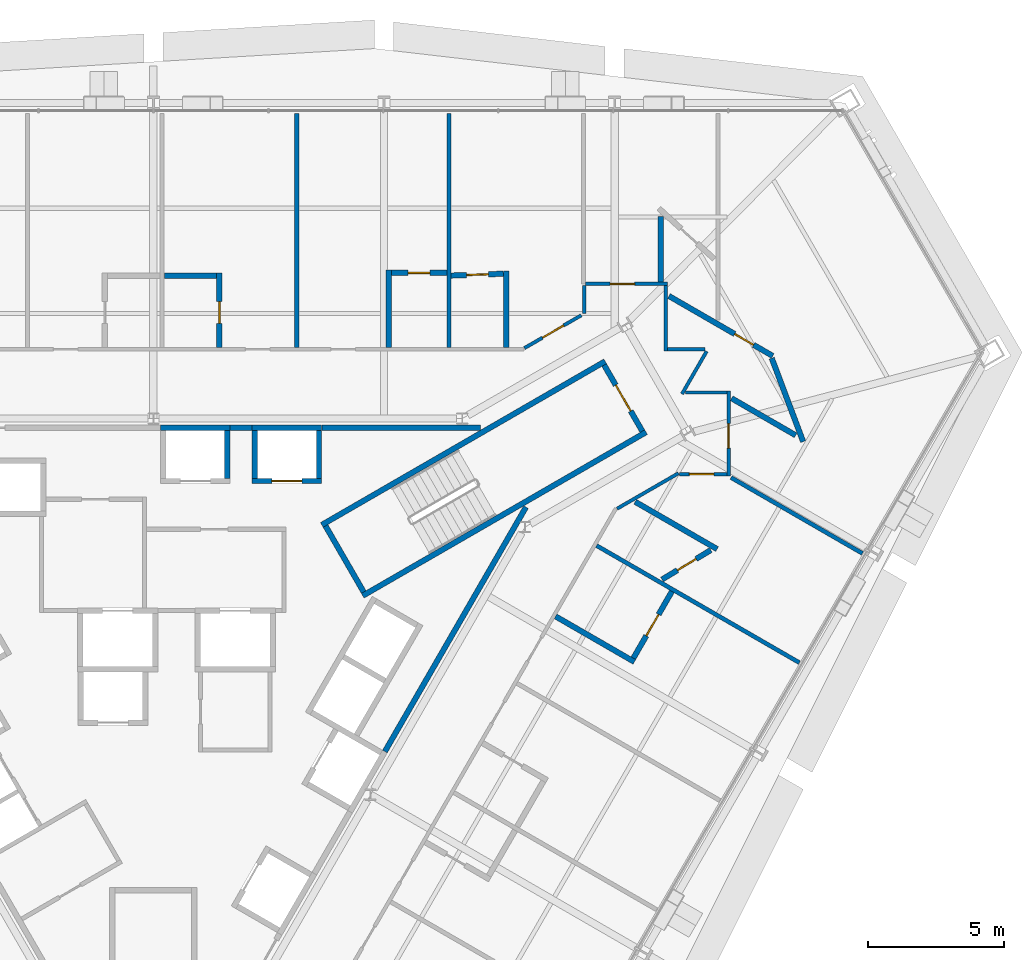
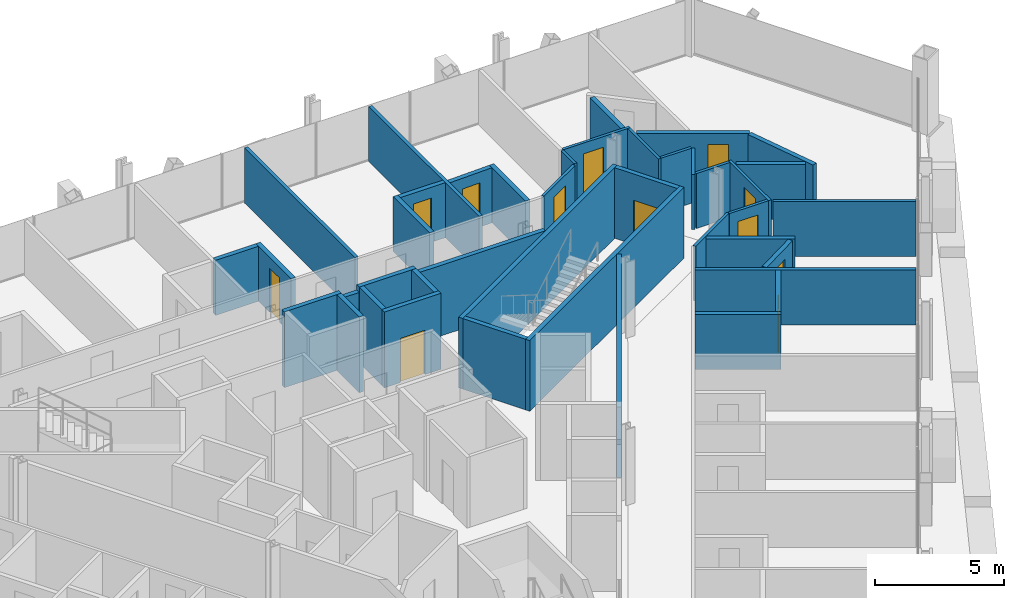
# One storey, part 14 of 17: 41 walls, 12 doors, 12 openings.
"""IFC4 building model written with IfcOpenShell, lengths in metres."""

import ifcopenshell
import ifcopenshell.guid

model = None  # the IFC model being written
_history = None  # IfcOwnerHistory: only IFC2X3 demands one
_inside = {}  # id of a spatial element -> (the spatial element, [elements in it])
_under = {}  # id of a project, library or spatial element -> (it, [spatial elements below it])
_declared = {}  # id of a project -> (the project, [libraries it declares])
_typed = {}  # id of a type object -> (the type object, [elements of that type])
_made_of = {}  # id of a material, layer set ... -> (it, [elements and type objects made of it])


def new_model(schema):
    """Start an empty IFC model of exactly this schema.

    Asked for "IFC4X3", IfcOpenShell would pick the latest addendum, in which some entities
    have other attributes; the version numbers below select the first issue.
    IFC2X3 requires an IfcOwnerHistory on every rooted entity: one is made here for all.
    """
    global model, _history
    if schema == "IFC4X3":
        model = ifcopenshell.file(schema_version=(4, 3, 0, 0))
    else:
        model = ifcopenshell.file(schema=schema)
    _inside.clear()
    _under.clear()
    _declared.clear()
    _typed.clear()
    _made_of.clear()
    _history = None
    if model.schema == "IFC2X3":
        org = make("IfcOrganization", Name="unknown")
        user = make(
            "IfcPersonAndOrganization",
            ThePerson=make("IfcPerson", FamilyName="unknown"),
            TheOrganization=org,
        )
        app = make(
            "IfcApplication",
            ApplicationDeveloper=org,
            Version="unknown",
            ApplicationFullName="unknown",
            ApplicationIdentifier="unknown",
        )
        _history = make(
            "IfcOwnerHistory",
            OwningUser=user,
            OwningApplication=app,
            ChangeAction="ADDED",
            CreationDate=0,
        )
    return model


def make(cls, **values):
    """One entity of the class cls with the attributes given. An attribute that is None is left unset."""
    return model.create_entity(
        cls, **{name: value for name, value in values.items() if value is not None}
    )


def rooted(cls, **values):
    """An entity with a GlobalId (a new one), such as an element, a storey or a relation."""
    return make(cls, GlobalId=ifcopenshell.guid.new(), OwnerHistory=_history, **values)


def si_unit(unit_type, name, prefix=None):
    """IfcSIUnit, for example si_unit("LENGTHUNIT", "METRE", prefix="MILLI")."""
    return make("IfcSIUnit", UnitType=unit_type, Prefix=prefix, Name=name)


def assignment(units):
    """IfcUnitAssignment: the units of a project."""
    return None if units is None else make("IfcUnitAssignment", Units=units)


def point(xyz):
    """IfcCartesianPoint."""
    return None if xyz is None else make("IfcCartesianPoint", Coordinates=xyz)


def direction(xyz):
    """IfcDirection."""
    return None if xyz is None else make("IfcDirection", DirectionRatios=xyz)


def frame(location, z_axis=None, x_axis=None):
    """IfcAxis2Placement3D, a coordinate frame: its origin and axes. An axis left out is left unset."""
    return make(
        "IfcAxis2Placement3D",
        Location=point(location),
        Axis=direction(z_axis),
        RefDirection=direction(x_axis),
    )


def frame_2d(location, x_axis=None):
    """IfcAxis2Placement2D, a coordinate frame in the plane: its origin and x axis."""
    return make(
        "IfcAxis2Placement2D", Location=point(location), RefDirection=direction(x_axis)
    )


def origin():
    """The frame at (0, 0, 0) with its axes left unset."""
    return frame((0.0, 0.0, 0.0))


def place(relative_to, where):
    """IfcLocalPlacement: puts the frame where relative to a parent placement (None: the world)."""
    return make(
        "IfcLocalPlacement", PlacementRelTo=relative_to, RelativePlacement=where
    )


def context(
    kind, dimensions, precision=None, world=None, true_north=None, identifier=None
):
    """IfcGeometricRepresentationContext, for example the 3D "Model" context."""
    return make(
        "IfcGeometricRepresentationContext",
        ContextIdentifier=identifier,
        ContextType=kind,
        CoordinateSpaceDimension=dimensions,
        Precision=precision,
        WorldCoordinateSystem=world,
        TrueNorth=true_north,
    )


def subcontext(parent, identifier, kind, view, scale=None):
    """IfcGeometricRepresentationSubContext, for example "Body" below "Model"."""
    return make(
        "IfcGeometricRepresentationSubContext",
        ContextIdentifier=identifier,
        ContextType=kind,
        ParentContext=parent,
        TargetScale=scale,
        TargetView=view,
    )


def project(units=None, contexts=None):
    """IfcProject with its units and contexts."""
    return rooted(
        "IfcProject",
        Name="project",
        RepresentationContexts=contexts,
        UnitsInContext=assignment(units),
    )


def spatial(cls, under=None, at=None, **own):
    """A site, building, storey or space (cls), placed at a placement, below another one or the project."""
    s = rooted(cls, ObjectPlacement=at, **own)
    if under is not None:
        _under.setdefault(under.id(), (under, []))[1].append(s)
    return s


def profile(cls, at=None, kind="AREA", **sizes):
    """A parametric profile (cls). Its sizes go by their IFC names, for example OverallWidth=200.0."""
    return make(cls, ProfileType=kind, Position=at, **sizes)


def rectangle(**sizes):
    """IfcRectangleProfileDef."""
    return profile("IfcRectangleProfileDef", **sizes)


def extrude(swept, where, along, depth):
    """IfcExtrudedAreaSolid: the profile swept, set in the frame where, extruded along a direction by depth."""
    return make(
        "IfcExtrudedAreaSolid",
        SweptArea=swept,
        Position=where,
        ExtrudedDirection=direction(along),
        Depth=depth,
    )


def shape(context_of_items, identifier, shape_type, items):
    """IfcShapeRepresentation: the items that make up one representation, for example the "Body"."""
    return make(
        "IfcShapeRepresentation",
        ContextOfItems=context_of_items,
        RepresentationIdentifier=identifier,
        RepresentationType=shape_type,
        Items=items,
    )


def material(Name=None, Category=None):
    """IfcMaterial."""
    return make("IfcMaterial", Name=Name, Category=Category)


def layer(
    of_material, thickness, ventilated=None, Name=None, Category=None, Priority=None
):
    """IfcMaterialLayer: one layer of a wall or slab, of a material (None: an air gap)."""
    return make(
        "IfcMaterialLayer",
        Material=of_material,
        LayerThickness=thickness,
        IsVentilated=ventilated,
        Name=Name,
        Category=Category,
        Priority=Priority,
    )


def layer_set(layers, Name=None):
    """IfcMaterialLayerSet."""
    return make("IfcMaterialLayerSet", MaterialLayers=layers, LayerSetName=Name)


def made_of(thing, what):
    """Note that an element or type object is made of a material, layer set ...; save() writes the relation."""
    if what is not None:
        _made_of.setdefault(what.id(), (what, []))[1].append(thing)
    return thing


def type_object(cls, material=None, **own):
    """A type object (cls), such as IfcWallType, which elements share."""
    return made_of(rooted(cls, **own), material)


def element(
    cls,
    number,
    at=None,
    inside=None,
    cuts=None,
    type_object=None,
    material=None,
    context=None,
    identifier="Body",
    shape_type=None,
    held_by="IfcProductDefinitionShape",
    body=None,
    shapes=None,
    **own,
):
    """One element of the class cls, such as IfcWall. Its Tag is "e" and its number.

    at: its placement. inside: the storey or other place that contains it. cuts: it is an
    opening in that element (IfcRelVoidsElement). A single representation is given by context,
    identifier, shape_type and body (its items); several are given by shapes. held_by: the class
    of the entity that holds the representations. save() writes the other relations.
    """
    e = rooted(cls, Tag="e%d" % number, ObjectPlacement=at, **own)
    if body is not None:
        shapes = [shape(context, identifier, shape_type, body)]
    if shapes is not None:
        e.Representation = make(held_by, Representations=shapes)
    if inside is not None:
        _inside.setdefault(inside.id(), (inside, []))[1].append(e)
    if cuts is not None:
        rooted(
            "IfcRelVoidsElement", RelatingBuildingElement=cuts, RelatedOpeningElement=e
        )
    if type_object is not None:
        _typed.setdefault(type_object.id(), (type_object, []))[1].append(e)
    return made_of(e, material)


def fill(opening, filler):
    """IfcRelFillsElement: the door or window that sits in an opening."""
    return rooted(
        "IfcRelFillsElement",
        RelatingOpeningElement=opening,
        RelatedBuildingElement=filler,
    )


def aggregate(whole, parts):
    """IfcRelAggregates: a whole, such as a stair, and the parts it consists of."""
    return rooted("IfcRelAggregates", RelatingObject=whole, RelatedObjects=parts)


def save(model, path):
    """Write the relations noted so far, then the file.

    IfcRelAggregates (storeys below a building ...), IfcRelContainedInSpatialStructure (elements
    in a storey), IfcRelDefinesByType, IfcRelAssociatesMaterial and IfcRelDeclares: one each for
    every whole, place, type object, material and project.
    """
    for whole, parts in _under.values():
        aggregate(whole, parts)
    for where, things in _inside.values():
        rooted(
            "IfcRelContainedInSpatialStructure",
            RelatedElements=things,
            RelatingStructure=where,
        )
    for kind, things in _typed.values():
        rooted("IfcRelDefinesByType", RelatedObjects=things, RelatingType=kind)
    for what, things in _made_of.values():
        rooted("IfcRelAssociatesMaterial", RelatedObjects=things, RelatingMaterial=what)
    for by, libraries in _declared.values():
        rooted("IfcRelDeclares", RelatingContext=by, RelatedDefinitions=libraries)
    model.write(path)


model = new_model("IFC4")

# Units and contexts
model_context = context("Model", 3, precision=1e-05, world=origin(), true_north=direction((0.0, 1.0)))
body_context = subcontext(model_context, "Body", "Model", "MODEL_VIEW")
ifc_project = project(units=[si_unit("LENGTHUNIT", "METRE"), si_unit("AREAUNIT", "SQUARE_METRE"), si_unit("VOLUMEUNIT", "CUBIC_METRE"), si_unit("PLANEANGLEUNIT", "RADIAN"), si_unit("MASSUNIT", "GRAM", prefix="KILO")], contexts=[model_context])

# Site, building, storey
site_placement = place(None, origin())
site = spatial("IfcSite", under=ifc_project, at=site_placement, CompositionType="ELEMENT")
building_placement = place(site_placement, origin())
building = spatial("IfcBuilding", under=site, at=building_placement, Name="Verrane Prism Tower", CompositionType="ELEMENT")
storey_placement = place(building_placement, frame((0.0, 0.0, 40.39990234375)))
storey = spatial("IfcBuildingStorey", under=building, at=storey_placement, Name="L07", CompositionType="ELEMENT", Elevation=40.39990234375)

# Walls
ifc_material_1 = material(Name="Gypsum board partition", Category="other")
ifc_layer_1 = layer(ifc_material_1, 0.199951171875)
ifc_layer_set_1 = layer_set([ifc_layer_1], Name="CW-200 core boundary wall 2 h")
wall_type_1 = type_object("IfcWallType", Name="CW-200 core boundary wall 2 h", PredefinedType="PARTITIONING", material=ifc_layer_set_1)
wall_1_placement = place(storey_placement, frame((2.81689453125, 8.860107421875, 0.0), z_axis=(0.0, 0.0, 1.0), x_axis=(1.0, 0.0, 0.0)))
element("IfcWall", 1, at=wall_1_placement, inside=storey, type_object=wall_type_1, Name="Core boundary wall CW3-011", PredefinedType="PARTITIONING", context=body_context, shape_type="SweptSolid", body=[
    extrude(rectangle(XDim=0.80615234375, YDim=0.199951171875, at=frame_2d((0.403076171875, 0.0))), origin(), (0.0, 0.0, 1.0), 3.35009765625),
])
wall_2_placement = place(storey_placement, frame((6.177001953125, 8.860107421875, 0.0), z_axis=(0.0, 0.0, 1.0), x_axis=(1.0, 0.0, 0.0)))
element("IfcWall", 2, at=wall_2_placement, inside=storey, type_object=wall_type_1, Name="Core boundary wall CW3-013", PredefinedType="PARTITIONING", context=body_context, shape_type="SweptSolid", body=[
    extrude(rectangle(XDim=5.81396484375, YDim=0.199951171875, at=frame_2d((2.906982421875, 0.0))), origin(), (0.0, 0.0, 1.0), 3.35009765625),
])
wall_3_placement = place(storey_placement, frame((8.491943359375, -3.011962890625, 0.0), z_axis=(0.0, 0.0, 1.0), x_axis=(0.499972957231, 0.866041016371, 0.0)))
element("IfcWall", 3, at=wall_3_placement, inside=storey, type_object=wall_type_1, Name="Core boundary wall CW3-014", PredefinedType="PARTITIONING", context=body_context, shape_type="SweptSolid", body=[
    extrude(rectangle(XDim=10.3486328125, YDim=0.199951171875, at=frame_2d((5.17431640625, 0.0))), origin(), (0.0, 0.0, 1.0), 3.35009765625),
])

# Wall, opening, door
ifc_material_2 = material(Name="Concrete C40/50", Category="concrete")
ifc_layer_2 = layer(ifc_material_2, 0.199951171875)
ifc_layer_set_2 = layer_set([ifc_layer_2], Name="CW-200 stair core wall concrete C40/50 3 h")
wall_type_2 = type_object("IfcWallType", Name="CW-200 stair core wall concrete C40/50 3 h", PredefinedType="PARTITIONING", material=ifc_layer_set_2)
wall_4_placement = place(storey_placement, frame((17.933837890625, 8.737548828125, 0.0), z_axis=(0.0, 0.0, 1.0), x_axis=(-0.49998411664, 0.866034573852, 0.0)))
wall_4 = element("IfcWall", 4, at=wall_4_placement, inside=storey, type_object=wall_type_2, Name="Stair 1 enclosure wall", PredefinedType="PARTITIONING", context=body_context, shape_type="SweptSolid", body=[
    extrude(rectangle(XDim=2.7998046875, YDim=0.199951171875, at=frame_2d((1.39990234375, 0.0))), origin(), (0.0, 0.0, 1.0), 3.35009765625),
])
opening_1_placement = place(wall_4_placement, frame((0.849853515625, 0.0, 0.0)))
opening_1 = element("IfcOpeningElement", 5, at=opening_1_placement, cuts=wall_4, Name="Opening D06500", PredefinedType="OPENING", context=body_context, shape_type="SweptSolid", body=[
    extrude(rectangle(XDim=1.10009765625, YDim=2.10009765625, at=frame_2d((0.550048828125, 1.050048828125))), frame((0.0, 0.10986328125, 0.0), z_axis=(0.0, -1.0, 0.0), x_axis=(1.0, 0.0, 0.0)), (0.0, 0.0, 1.0), 0.219970703125),
])
ifc_material_3 = material(Name="Timber veneered door leaf", Category="wood")
door_type_1 = type_object("IfcDoorType", Name="DR-1100x2100 FD90 single leaf stair", OperationType="NOTDEFINED", PredefinedType="DOOR", material=ifc_material_3)
door_1_placement = place(opening_1_placement, origin())
door_1 = element("IfcDoor", 6, at=door_1_placement, inside=storey, type_object=door_type_1, Name="Stair 1 door", OperationType="SINGLE_SWING_LEFT", OverallHeight=2.10009765625, OverallWidth=1.10009765625, PredefinedType="DOOR", context=body_context, shape_type="SweptSolid", body=[
    extrude(rectangle(XDim=1.10009765625, YDim=2.10009765625, at=frame_2d((0.550048828125, 1.050048828125))), frame((0.0, 0.02490234375, 0.0), z_axis=(0.0, -1.0, 0.0), x_axis=(1.0, 0.0, 0.0)), (0.0, 0.0, 1.0), 0.050048828125),
])
fill(opening_1, door_1)

# Walls
for number, where, z_axis, x_axis, name in (
    (7, (6.17822265625, 5.299072265625, 0.0), (0.0, 0.0, 1.0), (0.866026010844, 0.49999894854, 0.0), "Stair 1 enclosure wall"),
    (8, (7.67822265625, 2.700927734375, 0.0), (0.0, 0.0, 1.0), (0.866026010844, 0.49999894854, 0.0), "Stair 1 enclosure wall"),
):
    element("IfcWall", number, at=place(storey_placement, frame(where, z_axis=z_axis, x_axis=x_axis)), inside=storey, type_object=wall_type_2, Name=name, PredefinedType="PARTITIONING", context=body_context, shape_type="SweptSolid", body=[
        extrude(rectangle(XDim=12.0, YDim=0.199951171875, at=frame_2d((6.0, 0.0))), origin(), (0.0, 0.0, 1.0), 3.35009765625),
    ])
wall_5_placement = place(storey_placement, frame((7.71484375, 2.837646484375, 0.0), z_axis=(0.0, 0.0, 1.0), x_axis=(-0.500049511043, 0.865996816683, 0.0)))
element("IfcWall", 9, at=wall_5_placement, inside=storey, type_object=wall_type_2, Name="Stair 1 enclosure wall", PredefinedType="PARTITIONING", context=body_context, shape_type="SweptSolid", body=[
    extrude(rectangle(XDim=2.800048828125, YDim=0.199951171875, at=frame_2d((1.39990234375, 0.0))), origin(), (0.0, 0.0, 1.0), 3.35009765625),
])

# Wall, opening, door
ifc_material_4 = material(Name="Gypsum board shaft wall assembly", Category="other")
ifc_layer_3 = layer(ifc_material_4, 0.199951171875)
ifc_layer_set_3 = layer_set([ifc_layer_3], Name="HW-200 lift shaft wall 2 h")
wall_type_3 = type_object("IfcWallType", Name="HW-200 lift shaft wall 2 h", PredefinedType="PARTITIONING", material=ifc_layer_set_3)
wall_6_placement = place(storey_placement, frame((3.625, 6.909912109375, 0.0), z_axis=(0.0, 0.0, 1.0), x_axis=(1.0, 0.0, 0.0)))
wall_6 = element("IfcWall", 10, at=wall_6_placement, inside=storey, type_object=wall_type_3, Name="Lift shaft wall", PredefinedType="PARTITIONING", context=body_context, shape_type="SweptSolid", body=[
    extrude(rectangle(XDim=2.550048828125, YDim=0.199951171875, at=frame_2d((1.27490234375, 0.0))), origin(), (0.0, 0.0, 1.0), 3.60009765625),
])
opening_2_placement = place(wall_6_placement, frame((0.72509765625, 0.0, 0.0)))
opening_2 = element("IfcOpeningElement", 11, at=opening_2_placement, cuts=wall_6, Name="Opening D06509", PredefinedType="OPENING", context=body_context, shape_type="SweptSolid", body=[
    extrude(rectangle(XDim=1.10009765625, YDim=2.10009765625, at=frame_2d((0.550048828125, 1.050048828125))), frame((0.0, 0.10986328125, 0.0), z_axis=(0.0, -1.0, 0.0), x_axis=(1.0, 0.0, 0.0)), (0.0, 0.0, 1.0), 0.219970703125),
])
ifc_material_5 = material(Name="Stainless steel sliding landing door", Category="steel")
door_type_2 = type_object("IfcDoorType", Name="LD-1100x2100 lift landing door FD90 sliding", OperationType="NOTDEFINED", PredefinedType="DOOR", material=ifc_material_5)
door_2_placement = place(opening_2_placement, origin())
door_2 = element("IfcDoor", 12, at=door_2_placement, inside=storey, type_object=door_type_2, Name="Bank A lift 3 landing door", OperationType="SLIDING_TO_LEFT", OverallHeight=2.10009765625, OverallWidth=1.10009765625, PredefinedType="DOOR", context=body_context, shape_type="SweptSolid", body=[
    extrude(rectangle(XDim=1.10009765625, YDim=2.10009765625, at=frame_2d((0.550048828125, 1.050048828125))), frame((0.0, 0.02490234375, 0.0), z_axis=(0.0, -1.0, 0.0), x_axis=(1.0, 0.0, 0.0)), (0.0, 0.0, 1.0), 0.050048828125),
])
fill(opening_2, door_2)

# Walls
for number, where, z_axis, x_axis, name in (
    (13, (0.264892578125, 8.860107421875, 0.0), (0.0, 0.0, 1.0), (1.0, 0.0, 0.0), "Lift shaft wall"),
    (14, (3.625, 8.860107421875, 0.0), (0.0, 0.0, 1.0), (1.0, 0.0, 0.0), "Lift shaft wall"),
):
    element("IfcWall", number, at=place(storey_placement, frame(where, z_axis=z_axis, x_axis=x_axis)), inside=storey, type_object=wall_type_3, Name=name, PredefinedType="PARTITIONING", context=body_context, shape_type="SweptSolid", body=[
        extrude(rectangle(XDim=2.550048828125, YDim=0.199951171875, at=frame_2d((1.27490234375, 0.0))), origin(), (0.0, 0.0, 1.0), 3.60009765625),
    ])
for number, where, z_axis, x_axis, name in (
    (15, (6.074951171875, 7.010009765625, 0.0), (0.0, 0.0, 1.0), (0.0, 1.0, 0.0), "Lift shaft wall"),
    (16, (3.72509765625, 7.010009765625, 0.0), (0.0, 0.0, 1.0), (0.0, 1.0, 0.0), "Lift shaft wall"),
    (17, (2.715087890625, 7.010009765625, 0.0), (0.0, 0.0, 1.0), (0.0, 1.0, 0.0), "Lift shaft wall"),
):
    element("IfcWall", number, at=place(storey_placement, frame(where, z_axis=z_axis, x_axis=x_axis)), inside=storey, type_object=wall_type_3, Name=name, PredefinedType="PARTITIONING", context=body_context, shape_type="SweptSolid", body=[
        extrude(rectangle(XDim=1.75, YDim=0.199951171875, at=frame_2d((0.875, 0.0))), origin(), (0.0, 0.0, 1.0), 3.60009765625),
    ])

# Wall, opening, door
ifc_material_6 = material(Name="Gypsum board partition", Category="other")
ifc_layer_4 = layer(ifc_material_6, 0.125)
ifc_layer_set_4 = layer_set([ifc_layer_4], Name="PW-125 corridor wall 1 h")
wall_type_4 = type_object("IfcWallType", Name="PW-125 corridor wall 1 h", PredefinedType="PARTITIONING", material=ifc_layer_set_4)
wall_7_placement = place(storey_placement, frame((13.609619140625, 11.783447265625, 0.0), z_axis=(0.0, 0.0, 1.0), x_axis=(0.86608938841, 0.499889158998, 0.0)))
wall_7 = element("IfcWall", 18, at=wall_7_placement, inside=storey, type_object=wall_type_4, Name="Corridor wall 082", PredefinedType="PARTITIONING", context=body_context, shape_type="SweptSolid", body=[
    extrude(rectangle(XDim=2.40869140625, YDim=0.125, at=frame_2d((1.204345703125, 0.0))), origin(), (0.0, 0.0, 1.0), 2.613037109375),
])
opening_3_placement = place(wall_7_placement, frame((0.764892578125, 0.0, 0.0)))
opening_3 = element("IfcOpeningElement", 19, at=opening_3_placement, cuts=wall_7, Name="Opening D06003", PredefinedType="OPENING", context=body_context, shape_type="SweptSolid", body=[
    extrude(rectangle(XDim=0.89990234375, YDim=2.10009765625, at=frame_2d((0.449951171875, 1.050048828125))), frame((0.0, 0.072509765625, 0.0), z_axis=(0.0, -1.0, 0.0), x_axis=(1.0, 0.0, 0.0)), (0.0, 0.0, 1.0), 0.14501953125),
])
ifc_material_7 = material(Name="Timber veneered door leaf", Category="wood")
door_type_3 = type_object("IfcDoorType", Name="DR-900x2100 FD20 single leaf unit", OperationType="NOTDEFINED", PredefinedType="DOOR", material=ifc_material_7)
door_3_placement = place(opening_3_placement, origin())
door_3 = element("IfcDoor", 20, at=door_3_placement, inside=storey, type_object=door_type_3, Name="Guest Room door", OperationType="SINGLE_SWING_LEFT", OverallHeight=2.10009765625, OverallWidth=0.89990234375, PredefinedType="DOOR", context=body_context, shape_type="SweptSolid", body=[
    extrude(rectangle(XDim=0.89990234375, YDim=2.10009765625, at=frame_2d((0.449951171875, 1.050048828125))), frame((0.0, 0.02490234375, 0.0), z_axis=(0.0, -1.0, 0.0), x_axis=(1.0, 0.0, 0.0)), (0.0, 0.0, 1.0), 0.050048828125),
])
fill(opening_3, door_3)

# Wall
wall_8_placement = place(storey_placement, frame((15.802978515625, 13.050048828125, 0.0), z_axis=(0.0, 0.0, 1.0), x_axis=(0.0, 1.0, 0.0)))
element("IfcWall", 21, at=wall_8_placement, inside=storey, type_object=wall_type_4, Name="Corridor wall 085", PredefinedType="PARTITIONING", context=body_context, shape_type="SweptSolid", body=[
    extrude(rectangle(XDim=1.02197265625, YDim=0.125, at=frame_2d((0.510986328125, 0.0))), origin(), (0.0, 0.0, 1.0), 2.613037109375),
])

# Wall, opening, door
wall_9_placement = place(storey_placement, frame((15.85546875, 14.136962890625, 0.0), z_axis=(0.0, 0.0, 1.0), x_axis=(1.0, 0.0, 0.0)))
wall_9 = element("IfcWall", 22, at=wall_9_placement, inside=storey, type_object=wall_type_4, Name="Corridor wall 086", PredefinedType="PARTITIONING", context=body_context, shape_type="SweptSolid", body=[
    extrude(rectangle(XDim=3.004150390625, YDim=0.125, at=frame_2d((1.501953125, 0.0))), origin(), (0.0, 0.0, 1.0), 2.613037109375),
])
opening_4_placement = place(wall_9_placement, frame((0.8974609375, 0.0, 0.0)))
opening_4 = element("IfcOpeningElement", 23, at=opening_4_placement, cuts=wall_9, Name="Opening D06001", PredefinedType="OPENING", context=body_context, shape_type="SweptSolid", body=[
    extrude(rectangle(XDim=0.89990234375, YDim=2.10009765625, at=frame_2d((0.449951171875, 1.050048828125))), frame((0.0, 0.072509765625, 0.0), z_axis=(0.0, -1.0, 0.0), x_axis=(1.0, 0.0, 0.0)), (0.0, 0.0, 1.0), 0.14501953125),
])
door_4_placement = place(opening_4_placement, origin())
door_4 = element("IfcDoor", 24, at=door_4_placement, inside=storey, type_object=door_type_3, Name="Guest Room door", OperationType="SINGLE_SWING_LEFT", OverallHeight=2.10009765625, OverallWidth=0.89990234375, PredefinedType="DOOR", context=body_context, shape_type="SweptSolid", body=[
    extrude(rectangle(XDim=0.89990234375, YDim=2.10009765625, at=frame_2d((0.449951171875, 1.050048828125))), frame((0.0, 0.02490234375, 0.0), z_axis=(0.0, -1.0, 0.0), x_axis=(1.0, 0.0, 0.0)), (0.0, 0.0, 1.0), 0.050048828125),
])
fill(opening_4, door_4)

# Walls
wall_10_placement = place(storey_placement, frame((17.009521484375, 5.89453125, 0.0), z_axis=(0.0, 0.0, 1.0), x_axis=(0.865944638795, 0.50013986298, 0.0)))
element("IfcWall", 25, at=wall_10_placement, inside=storey, type_object=wall_type_4, Name="Corridor wall 088", PredefinedType="PARTITIONING", context=body_context, shape_type="SweptSolid", body=[
    extrude(rectangle(XDim=2.598876953125, YDim=0.125, at=frame_2d((1.29931640625, 0.0))), origin(), (0.0, 0.0, 1.0), 2.613037109375),
])
wall_11_placement = place(storey_placement, frame((18.797119140625, 11.678466796875, 0.0), z_axis=(0.0, 0.0, 1.0), x_axis=(0.0, 1.0, 0.0)))
element("IfcWall", 26, at=wall_11_placement, inside=storey, type_object=wall_type_4, Name="Corridor wall 094", PredefinedType="PARTITIONING", context=body_context, shape_type="SweptSolid", body=[
    extrude(rectangle(XDim=2.3935546875, YDim=0.125, at=frame_2d((1.19677734375, 0.0))), origin(), (0.0, 0.0, 1.0), 2.613037109375),
])
wall_12_placement = place(storey_placement, frame((18.862060546875, 11.740966796875, 0.0), z_axis=(0.0, 0.0, 1.0), x_axis=(1.0, 0.0, 0.0)))
element("IfcWall", 27, at=wall_12_placement, inside=storey, type_object=wall_type_4, Name="Corridor wall 095", PredefinedType="PARTITIONING", context=body_context, shape_type="SweptSolid", body=[
    extrude(rectangle(XDim=1.367919921875, YDim=0.125, at=frame_2d((0.68408203125, 0.0))), origin(), (0.0, 0.0, 1.0), 2.613037109375),
])

# Wall, opening, door
wall_13_placement = place(storey_placement, frame((21.031982421875, 7.1630859375, 0.0), z_axis=(0.0, 0.0, 1.0), x_axis=(-1.0, 0.0, 0.0)))
wall_13 = element("IfcWall", 28, at=wall_13_placement, inside=storey, type_object=wall_type_4, Name="Corridor wall 097", PredefinedType="PARTITIONING", context=body_context, shape_type="SweptSolid", body=[
    extrude(rectangle(XDim=1.740966796875, YDim=0.125, at=frame_2d((0.87060546875, 0.0))), origin(), (0.0, 0.0, 1.0), 2.613037109375),
])
opening_5_placement = place(wall_13_placement, frame((0.47607421875, 0.0, 0.0)))
opening_5 = element("IfcOpeningElement", 29, at=opening_5_placement, cuts=wall_13, Name="Opening D06046", PredefinedType="OPENING", context=body_context, shape_type="SweptSolid", body=[
    extrude(rectangle(XDim=0.89990234375, YDim=2.10009765625, at=frame_2d((0.449951171875, 1.050048828125))), frame((0.0, 0.072509765625, 0.0), z_axis=(0.0, -1.0, 0.0), x_axis=(1.0, 0.0, 0.0)), (0.0, 0.0, 1.0), 0.14501953125),
])
door_5_placement = place(opening_5_placement, origin())
door_5 = element("IfcDoor", 30, at=door_5_placement, inside=storey, type_object=door_type_3, Name="Guest Room door", OperationType="SINGLE_SWING_LEFT", OverallHeight=2.10009765625, OverallWidth=0.89990234375, PredefinedType="DOOR", context=body_context, shape_type="SweptSolid", body=[
    extrude(rectangle(XDim=0.89990234375, YDim=2.10009765625, at=frame_2d((0.449951171875, 1.050048828125))), frame((0.0, 0.02490234375, 0.0), z_axis=(0.0, -1.0, 0.0), x_axis=(1.0, 0.0, 0.0)), (0.0, 0.0, 1.0), 0.050048828125),
])
fill(opening_5, door_5)

# Walls
wall_14_placement = place(storey_placement, frame((19.3896484375, 10.102783203125, 0.0), z_axis=(0.0, 0.0, 1.0), x_axis=(0.500327160669, 0.865836435071, 0.0)))
element("IfcWall", 31, at=wall_14_placement, inside=storey, type_object=wall_type_4, Name="Corridor wall 098", PredefinedType="PARTITIONING", context=body_context, shape_type="SweptSolid", body=[
    extrude(rectangle(XDim=1.805419921875, YDim=0.125, at=frame_2d((0.90283203125, 0.0))), origin(), (0.0, 0.0, 1.0), 2.613037109375),
])
wall_15_placement = place(storey_placement, frame((19.52587890625, 10.156982421875, 0.0), z_axis=(0.0, 0.0, 1.0), x_axis=(1.0, 0.0, 0.0)))
element("IfcWall", 32, at=wall_15_placement, inside=storey, type_object=wall_type_4, Name="Corridor wall 099", PredefinedType="PARTITIONING", context=body_context, shape_type="SweptSolid", body=[
    extrude(rectangle(XDim=1.506103515625, YDim=0.125, at=frame_2d((0.7529296875, 0.0))), origin(), (0.0, 0.0, 1.0), 2.613037109375),
])

# Wall, opening, door
wall_16_placement = place(storey_placement, frame((21.096923828125, 10.219482421875, 0.0), z_axis=(0.0, 0.0, 1.0), x_axis=(0.0, -1.0, 0.0)))
wall_16 = element("IfcWall", 33, at=wall_16_placement, inside=storey, type_object=wall_type_4, Name="Corridor wall 102", PredefinedType="PARTITIONING", context=body_context, shape_type="SweptSolid", body=[
    extrude(rectangle(XDim=3.118896484375, YDim=0.125, at=frame_2d((1.5595703125, 0.0))), origin(), (0.0, 0.0, 1.0), 2.613037109375),
])
opening_6_placement = place(wall_16_placement, frame((1.20654296875, 0.0, 0.0)))
opening_6 = element("IfcOpeningElement", 34, at=opening_6_placement, cuts=wall_16, Name="Opening D06048", PredefinedType="OPENING", context=body_context, shape_type="SweptSolid", body=[
    extrude(rectangle(XDim=0.89990234375, YDim=2.10009765625, at=frame_2d((0.449951171875, 1.050048828125))), frame((0.0, 0.072509765625, 0.0), z_axis=(0.0, -1.0, 0.0), x_axis=(1.0, 0.0, 0.0)), (0.0, 0.0, 1.0), 0.14501953125),
])
door_6_placement = place(opening_6_placement, origin())
door_6 = element("IfcDoor", 35, at=door_6_placement, inside=storey, type_object=door_type_3, Name="Corner Suite door", OperationType="SINGLE_SWING_LEFT", OverallHeight=2.10009765625, OverallWidth=0.89990234375, PredefinedType="DOOR", context=body_context, shape_type="SweptSolid", body=[
    extrude(rectangle(XDim=0.89990234375, YDim=2.10009765625, at=frame_2d((0.449951171875, 1.050048828125))), frame((0.0, 0.02490234375, 0.0), z_axis=(0.0, -1.0, 0.0), x_axis=(1.0, 0.0, 0.0)), (0.0, 0.0, 1.0), 0.050048828125),
])
fill(opening_6, door_6)

# Walls
ifc_material_8 = material(Name="Gypsum board partition", Category="other")
ifc_layer_5 = layer(ifc_material_8, 0.14990234375)
ifc_layer_set_5 = layer_set([ifc_layer_5], Name="PW-150 demising wall 1 h")
wall_type_5 = type_object("IfcWallType", Name="PW-150 demising wall 1 h", PredefinedType="PARTITIONING", material=ifc_layer_set_5)
for number, where, z_axis, x_axis, name in (
    (36, (5.259033203125, 11.803466796875, 0.0), (0.0, 0.0, 1.0), (0.0, 1.0, 0.0), "Demising wall 064"),
    (37, (10.840087890625, 11.803466796875, 0.0), (0.0, 0.0, 1.0), (0.0, 1.0, 0.0), "Demising wall 074"),
):
    element("IfcWall", number, at=place(storey_placement, frame(where, z_axis=z_axis, x_axis=x_axis)), inside=storey, type_object=wall_type_5, Name=name, PredefinedType="PARTITIONING", context=body_context, shape_type="SweptSolid", body=[
        extrude(rectangle(XDim=8.591552734375, YDim=0.14990234375, at=frame_2d((4.2958984375, 0.0))), origin(), (0.0, 0.0, 1.0), 2.613037109375),
    ])
wall_17_placement = place(storey_placement, frame((16.25634765625, 4.540283203125, 0.0), z_axis=(0.0, 0.0, 1.0), x_axis=(0.866031705461, -0.499989085017, 0.0)))
element("IfcWall", 38, at=wall_17_placement, inside=storey, type_object=wall_type_5, Name="Demising wall 087", PredefinedType="PARTITIONING", context=body_context, shape_type="SweptSolid", body=[
    extrude(rectangle(XDim=8.586669921875, YDim=0.14990234375, at=frame_2d((4.29345703125, 0.0))), origin(), (0.0, 0.0, 1.0), 2.613037109375),
])
wall_18_placement = place(storey_placement, frame((21.188720703125, 7.03564453125, 0.0), z_axis=(0.0, 0.0, 1.0), x_axis=(0.865981654797, -0.500075767815, 0.0)))
element("IfcWall", 39, at=wall_18_placement, inside=storey, type_object=wall_type_5, Name="Demising wall 101", PredefinedType="PARTITIONING", context=body_context, shape_type="SweptSolid", body=[
    extrude(rectangle(XDim=5.562744140625, YDim=0.14990234375, at=frame_2d((2.78125, 0.0))), origin(), (0.0, 0.0, 1.0), 2.613037109375),
])
ifc_material_9 = material(Name="Gypsum board partition", Category="other")
ifc_layer_6 = layer(ifc_material_9, 0.199951171875)
ifc_layer_set_6 = layer_set([ifc_layer_6], Name="PW-200 plumbing wall")
wall_type_6 = type_object("IfcWallType", Name="PW-200 plumbing wall", PredefinedType="PARTITIONING", material=ifc_layer_set_6)
wall_19_placement = place(storey_placement, frame((0.402099609375, 14.44091796875, 0.0), z_axis=(0.0, 0.0, 1.0), x_axis=(1.0, 0.0, 0.0)))
element("IfcWall", 40, at=wall_19_placement, inside=storey, type_object=wall_type_6, Name="Plumbing wall 055", PredefinedType="PARTITIONING", context=body_context, shape_type="SweptSolid", body=[
    extrude(rectangle(XDim=1.919921875, YDim=0.199951171875, at=frame_2d((0.9599609375, 0.0))), origin(), (0.0, 0.0, 1.0), 2.613037109375),
])

# Wall, opening, door
wall_20_placement = place(storey_placement, frame((2.422119140625, 11.803466796875, 0.0), z_axis=(0.0, 0.0, 1.0), x_axis=(0.0, 1.0, 0.0)))
wall_20 = element("IfcWall", 41, at=wall_20_placement, inside=storey, type_object=wall_type_6, Name="Plumbing wall 057", PredefinedType="PARTITIONING", context=body_context, shape_type="SweptSolid", body=[
    extrude(rectangle(XDim=2.737548828125, YDim=0.199951171875, at=frame_2d((1.36865234375, 0.0))), origin(), (0.0, 0.0, 1.0), 2.613037109375),
])
opening_7_placement = place(wall_20_placement, frame((0.887451171875, 0.0, 0.0)))
opening_7 = element("IfcOpeningElement", 42, at=opening_7_placement, cuts=wall_20, Name="Opening D06008", PredefinedType="OPENING", context=body_context, shape_type="SweptSolid", body=[
    extrude(rectangle(XDim=0.800048828125, YDim=2.10009765625, at=frame_2d((0.39990234375, 1.050048828125))), frame((0.0, 0.10986328125, 0.0), z_axis=(0.0, -1.0, 0.0), x_axis=(1.0, 0.0, 0.0)), (0.0, 0.0, 1.0), 0.219970703125),
])
ifc_material_10 = material(Name="Timber veneered door leaf", Category="wood")
door_type_4 = type_object("IfcDoorType", Name="DR-800x2100 single leaf bath", OperationType="NOTDEFINED", PredefinedType="DOOR", material=ifc_material_10)
door_7_placement = place(opening_7_placement, origin())
door_7 = element("IfcDoor", 43, at=door_7_placement, inside=storey, type_object=door_type_4, Name="En-Suite door", OperationType="SINGLE_SWING_RIGHT", OverallHeight=2.10009765625, OverallWidth=0.800048828125, PredefinedType="DOOR", context=body_context, shape_type="SweptSolid", body=[
    extrude(rectangle(XDim=0.800048828125, YDim=2.10009765625, at=frame_2d((0.39990234375, 1.050048828125))), frame((0.0, 0.02490234375, 0.0), z_axis=(0.0, -1.0, 0.0), x_axis=(1.0, 0.0, 0.0)), (0.0, 0.0, 1.0), 0.050048828125),
])
fill(opening_7, door_7)

# Wall
wall_21_placement = place(storey_placement, frame((8.639892578125, 11.803466796875, 0.0), z_axis=(0.0, 0.0, 1.0), x_axis=(0.0, 1.0, 0.0)))
element("IfcWall", 44, at=wall_21_placement, inside=storey, type_object=wall_type_6, Name="Plumbing wall 070", PredefinedType="PARTITIONING", context=body_context, shape_type="SweptSolid", body=[
    extrude(rectangle(XDim=2.837646484375, YDim=0.199951171875, at=frame_2d((1.4189453125, 0.0))), origin(), (0.0, 0.0, 1.0), 2.613037109375),
])

# Wall, opening, door
wall_22_placement = place(storey_placement, frame((10.764892578125, 14.541015625, 0.0), z_axis=(0.0, 0.0, 1.0), x_axis=(-1.0, 0.0, 0.0)))
wall_22 = element("IfcWall", 45, at=wall_22_placement, inside=storey, type_object=wall_type_6, Name="Plumbing wall 071", PredefinedType="PARTITIONING", context=body_context, shape_type="SweptSolid", body=[
    extrude(rectangle(XDim=2.02490234375, YDim=0.199951171875, at=frame_2d((1.012451171875, 0.0))), origin(), (0.0, 0.0, 1.0), 2.613037109375),
])
opening_8_placement = place(wall_22_placement, frame((0.625, 0.0, 0.0)))
opening_8 = element("IfcOpeningElement", 46, at=opening_8_placement, cuts=wall_22, Name="Opening D06006", PredefinedType="OPENING", context=body_context, shape_type="SweptSolid", body=[
    extrude(rectangle(XDim=0.800048828125, YDim=2.10009765625, at=frame_2d((0.39990234375, 1.050048828125))), frame((0.0, 0.10986328125, 0.0), z_axis=(0.0, -1.0, 0.0), x_axis=(1.0, 0.0, 0.0)), (0.0, 0.0, 1.0), 0.219970703125),
])
door_8_placement = place(opening_8_placement, origin())
door_8 = element("IfcDoor", 47, at=door_8_placement, inside=storey, type_object=door_type_4, Name="En-Suite door", OperationType="SINGLE_SWING_LEFT", OverallHeight=2.10009765625, OverallWidth=0.800048828125, PredefinedType="DOOR", context=body_context, shape_type="SweptSolid", body=[
    extrude(rectangle(XDim=0.800048828125, YDim=2.10009765625, at=frame_2d((0.39990234375, 1.050048828125))), frame((0.0, 0.02490234375, 0.0), z_axis=(0.0, -1.0, 0.0), x_axis=(1.0, 0.0, 0.0)), (0.0, 0.0, 1.0), 0.050048828125),
])
fill(opening_8, door_8)

wall_23_placement = place(storey_placement, frame((12.8349609375, 14.51123046875, 0.0), z_axis=(0.0, 0.0, 1.0), x_axis=(-0.999382486529, -0.035137524367, 0.0)))
wall_23 = element("IfcWall", 48, at=wall_23_placement, inside=storey, type_object=wall_type_6, Name="Plumbing wall 075", PredefinedType="PARTITIONING", context=body_context, shape_type="SweptSolid", body=[
    extrude(rectangle(XDim=1.917724609375, YDim=0.199951171875, at=frame_2d((0.958984375, 0.0))), origin(), (0.0, 0.0, 1.0), 2.613037109375),
])
opening_9_placement = place(wall_23_placement, frame((0.54638671875, 0.0, 0.0)))
opening_9 = element("IfcOpeningElement", 49, at=opening_9_placement, cuts=wall_23, Name="Opening D06004", PredefinedType="OPENING", context=body_context, shape_type="SweptSolid", body=[
    extrude(rectangle(XDim=0.800048828125, YDim=2.10009765625, at=frame_2d((0.39990234375, 1.050048828125))), frame((0.0, 0.10986328125, 0.0), z_axis=(0.0, -1.0, 0.0), x_axis=(1.0, 0.0, 0.0)), (0.0, 0.0, 1.0), 0.219970703125),
])
door_9_placement = place(opening_9_placement, origin())
door_9 = element("IfcDoor", 50, at=door_9_placement, inside=storey, type_object=door_type_4, Name="En-Suite door", OperationType="SINGLE_SWING_LEFT", OverallHeight=2.10009765625, OverallWidth=0.800048828125, PredefinedType="DOOR", context=body_context, shape_type="SweptSolid", body=[
    extrude(rectangle(XDim=0.800048828125, YDim=2.10009765625, at=frame_2d((0.39990234375, 1.050048828125))), frame((0.0, 0.02490234375, 0.0), z_axis=(0.0, -1.0, 0.0), x_axis=(1.0, 0.0, 0.0)), (0.0, 0.0, 1.0), 0.050048828125),
])
fill(opening_9, door_9)

# Walls
wall_24_placement = place(storey_placement, frame((12.93994140625, 11.803466796875, 0.0), z_axis=(0.0, 0.0, 1.0), x_axis=(0.0, 1.0, 0.0)))
element("IfcWall", 51, at=wall_24_placement, inside=storey, type_object=wall_type_6, Name="Plumbing wall 079", PredefinedType="PARTITIONING", context=body_context, shape_type="SweptSolid", body=[
    extrude(rectangle(XDim=2.8115234375, YDim=0.199951171875, at=frame_2d((1.40576171875, 0.0))), origin(), (0.0, 0.0, 1.0), 2.613037109375),
])
wall_25_placement = place(storey_placement, frame((14.752197265625, 1.94482421875, 0.0), z_axis=(0.0, 0.0, 1.0), x_axis=(0.866033317326, -0.499986293093, 0.0)))
element("IfcWall", 52, at=wall_25_placement, inside=storey, type_object=wall_type_6, Name="Plumbing wall 083", PredefinedType="PARTITIONING", context=body_context, shape_type="SweptSolid", body=[
    extrude(rectangle(XDim=3.33740234375, YDim=0.199951171875, at=frame_2d((1.668701171875, 0.0))), origin(), (0.0, 0.0, 1.0), 2.613037109375),
])

# Wall, opening, door
wall_26_placement = place(storey_placement, frame((17.60595703125, 0.41259765625, 0.0), z_axis=(0.0, 0.0, 1.0), x_axis=(0.500024172624, 0.866011447264, 0.0)))
wall_26 = element("IfcWall", 53, at=wall_26_placement, inside=storey, type_object=wall_type_6, Name="Plumbing wall 089", PredefinedType="PARTITIONING", context=body_context, shape_type="SweptSolid", body=[
    extrude(rectangle(XDim=2.824951171875, YDim=0.199951171875, at=frame_2d((1.41259765625, 0.0))), origin(), (0.0, 0.0, 1.0), 2.613037109375),
])
opening_10_placement = place(wall_26_placement, frame((0.949951171875, 0.0, 0.0)))
opening_10 = element("IfcOpeningElement", 54, at=opening_10_placement, cuts=wall_26, Name="Opening D06045", PredefinedType="OPENING", context=body_context, shape_type="SweptSolid", body=[
    extrude(rectangle(XDim=0.89990234375, YDim=2.10009765625, at=frame_2d((0.449951171875, 1.050048828125))), frame((0.0, 0.10986328125, 0.0), z_axis=(0.0, -1.0, 0.0), x_axis=(1.0, 0.0, 0.0)), (0.0, 0.0, 1.0), 0.219970703125),
])
ifc_material_11 = material(Name="Timber veneered door leaf", Category="wood")
door_type_5 = type_object("IfcDoorType", Name="DR-900x2100 single leaf bath", OperationType="NOTDEFINED", PredefinedType="DOOR", material=ifc_material_11)
door_10_placement = place(opening_10_placement, origin())
door_10 = element("IfcDoor", 55, at=door_10_placement, inside=storey, type_object=door_type_5, Name="En-Suite door", OperationType="SINGLE_SWING_LEFT", OverallHeight=2.10009765625, OverallWidth=0.89990234375, PredefinedType="DOOR", context=body_context, shape_type="SweptSolid", body=[
    extrude(rectangle(XDim=0.89990234375, YDim=2.10009765625, at=frame_2d((0.449951171875, 1.050048828125))), frame((0.0, 0.02490234375, 0.0), z_axis=(0.0, -1.0, 0.0), x_axis=(1.0, 0.0, 0.0)), (0.0, 0.0, 1.0), 0.050048828125),
])
fill(opening_10, door_10)

# Wall
wall_27_placement = place(storey_placement, frame((17.672607421875, 6.14697265625, 0.0), z_axis=(0.0, 0.0, 1.0), x_axis=(0.866077754448, -0.499909315027, 0.0)))
element("IfcWall", 56, at=wall_27_placement, inside=storey, type_object=wall_type_6, Name="Plumbing wall 090", PredefinedType="PARTITIONING", context=body_context, shape_type="SweptSolid", body=[
    extrude(rectangle(XDim=3.468505859375, YDim=0.199951171875, at=frame_2d((1.734375, 0.0))), origin(), (0.0, 0.0, 1.0), 2.613037109375),
])

# Wall, opening, door
wall_28_placement = place(storey_placement, frame((18.65673828125, 3.296875, 0.0), z_axis=(0.0, 0.0, 1.0), x_axis=(0.856262573572, 0.51654080681, 0.0)))
wall_28 = element("IfcWall", 57, at=wall_28_placement, inside=storey, type_object=wall_type_6, Name="Plumbing wall 091", PredefinedType="PARTITIONING", context=body_context, shape_type="SweptSolid", body=[
    extrude(rectangle(XDim=2.087646484375, YDim=0.199951171875, at=frame_2d((1.0439453125, 0.0))), origin(), (0.0, 0.0, 1.0), 2.613037109375),
])
opening_11_placement = place(wall_28_placement, frame((0.6591796875, 0.0, 0.0)))
opening_11 = element("IfcOpeningElement", 58, at=opening_11_placement, cuts=wall_28, Name="Opening D06047", PredefinedType="OPENING", context=body_context, shape_type="SweptSolid", body=[
    extrude(rectangle(XDim=0.800048828125, YDim=2.10009765625, at=frame_2d((0.39990234375, 1.050048828125))), frame((0.0, 0.10986328125, 0.0), z_axis=(0.0, -1.0, 0.0), x_axis=(1.0, 0.0, 0.0)), (0.0, 0.0, 1.0), 0.219970703125),
])
door_11_placement = place(opening_11_placement, origin())
door_11 = element("IfcDoor", 59, at=door_11_placement, inside=storey, type_object=door_type_4, Name="En-Suite door", OperationType="SINGLE_SWING_LEFT", OverallHeight=2.10009765625, OverallWidth=0.800048828125, PredefinedType="DOOR", context=body_context, shape_type="SweptSolid", body=[
    extrude(rectangle(XDim=0.800048828125, YDim=2.10009765625, at=frame_2d((0.39990234375, 1.050048828125))), frame((0.0, 0.02490234375, 0.0), z_axis=(0.0, -1.0, 0.0), x_axis=(1.0, 0.0, 0.0)), (0.0, 0.0, 1.0), 0.050048828125),
])
fill(opening_11, door_11)

# Wall
wall_29_placement = place(storey_placement, frame((18.614990234375, 14.199462890625, 0.0), z_axis=(0.0, 0.0, 1.0), x_axis=(0.0, 1.0, 0.0)))
element("IfcWall", 60, at=wall_29_placement, inside=storey, type_object=wall_type_6, Name="Plumbing wall 092", PredefinedType="PARTITIONING", context=body_context, shape_type="SweptSolid", body=[
    extrude(rectangle(XDim=2.41259765625, YDim=0.199951171875, at=frame_2d((1.206298828125, 0.0))), origin(), (0.0, 0.0, 1.0), 2.613037109375),
])

# Wall, opening, door
wall_30_placement = place(storey_placement, frame((22.717529296875, 11.49609375, 0.0), z_axis=(0.0, 0.0, 1.0), x_axis=(-0.866085733908, 0.499895490599, 0.0)))
wall_30 = element("IfcWall", 61, at=wall_30_placement, inside=storey, type_object=wall_type_6, Name="Plumbing wall 096", PredefinedType="PARTITIONING", context=body_context, shape_type="SweptSolid", body=[
    extrude(rectangle(XDim=4.39697265625, YDim=0.199951171875, at=frame_2d((2.198486328125, 0.0))), origin(), (0.0, 0.0, 1.0), 2.613037109375),
])
opening_12_placement = place(wall_30_placement, frame((0.811767578125, 0.0, 0.0)))
opening_12 = element("IfcOpeningElement", 62, at=opening_12_placement, cuts=wall_30, Name="Opening D06049", PredefinedType="OPENING", context=body_context, shape_type="SweptSolid", body=[
    extrude(rectangle(XDim=0.800048828125, YDim=2.10009765625, at=frame_2d((0.39990234375, 1.050048828125))), frame((0.0, 0.10986328125, 0.0), z_axis=(0.0, -1.0, 0.0), x_axis=(1.0, 0.0, 0.0)), (0.0, 0.0, 1.0), 0.219970703125),
])
door_12_placement = place(opening_12_placement, origin())
door_12 = element("IfcDoor", 63, at=door_12_placement, inside=storey, type_object=door_type_4, Name="En-Suite door", OperationType="SINGLE_SWING_RIGHT", OverallHeight=2.10009765625, OverallWidth=0.800048828125, PredefinedType="DOOR", context=body_context, shape_type="SweptSolid", body=[
    extrude(rectangle(XDim=0.800048828125, YDim=2.10009765625, at=frame_2d((0.39990234375, 1.050048828125))), frame((0.0, 0.02490234375, 0.0), z_axis=(0.0, -1.0, 0.0), x_axis=(1.0, 0.0, 0.0)), (0.0, 0.0, 1.0), 0.050048828125),
])
fill(opening_12, door_12)

# Walls
wall_31_placement = place(storey_placement, frame((21.20947265625, 9.942138671875, 0.0), z_axis=(0.0, 0.0, 1.0), x_axis=(0.865980262336, -0.500078179133, 0.0)))
element("IfcWall", 64, at=wall_31_placement, inside=storey, type_object=wall_type_6, Name="Plumbing wall 103", PredefinedType="PARTITIONING", context=body_context, shape_type="SweptSolid", body=[
    extrude(rectangle(XDim=2.712890625, YDim=0.199951171875, at=frame_2d((1.3564453125, 0.0))), origin(), (0.0, 0.0, 1.0), 2.613037109375),
])
wall_32_placement = place(storey_placement, frame((22.680419921875, 11.4150390625, 0.0), z_axis=(0.0, 0.0, 1.0), x_axis=(0.352235902959, -0.935911250422, 0.0)))
element("IfcWall", 65, at=wall_32_placement, inside=storey, type_object=wall_type_6, Name="Plumbing wall 104", PredefinedType="PARTITIONING", context=body_context, shape_type="SweptSolid", body=[
    extrude(rectangle(XDim=3.27001953125, YDim=0.199951171875, at=frame_2d((1.635009765625, 0.0))), origin(), (0.0, 0.0, 1.0), 2.613037109375),
])

save(model, "model.ifc")
